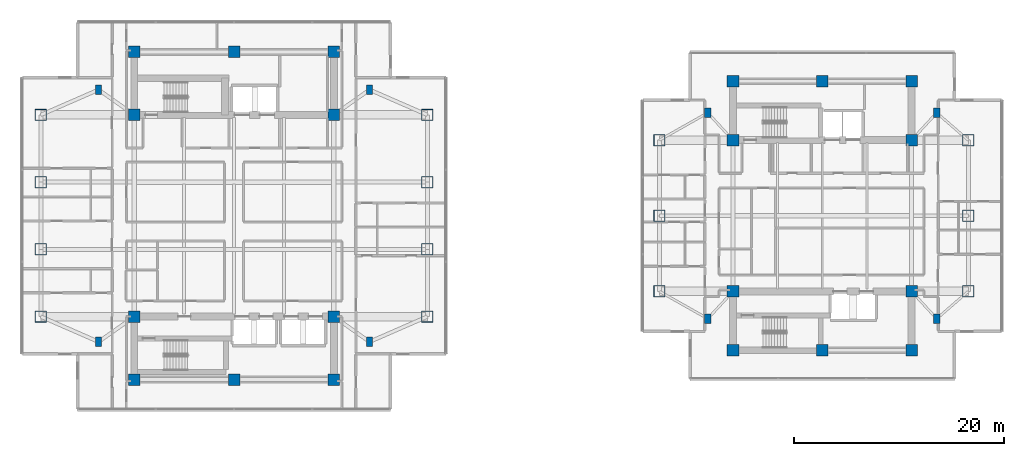
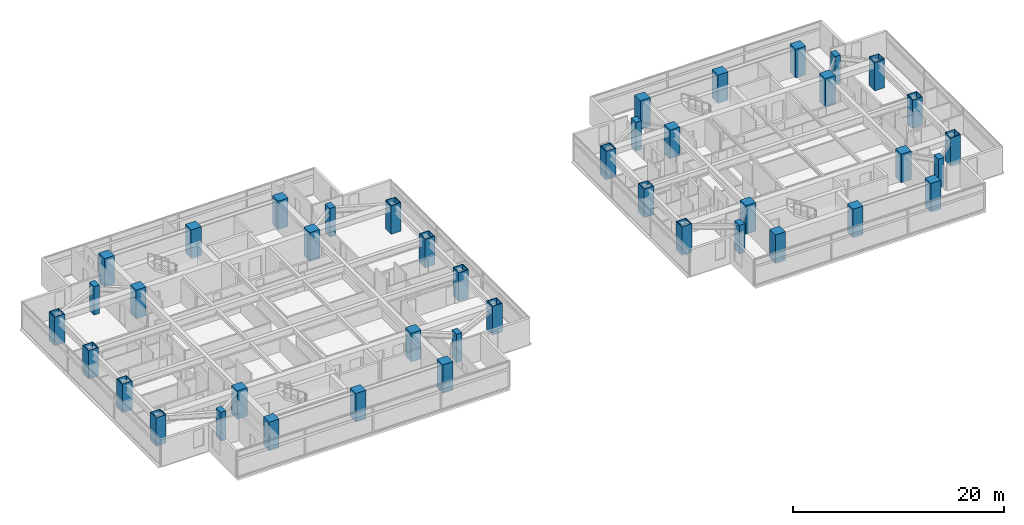
# One storey, part 1 of 26: 42 columns.
"""IFC4 building model written with IfcOpenShell, lengths in metres."""

from ifc_helpers import new_model, si_unit, direction, frame, origin, origin_2d, place, context, subcontext, project, spatial, rectangle, hollow_rectangle, extrude, material, material_profile, profile_set, type_object, element, save


model = new_model("IFC4")

# Units and contexts
model_context = context("Model", 3, precision=1e-05, world=origin(), true_north=direction((0.0, 1.0)))
body_context = subcontext(model_context, "Body", "Model", "MODEL_VIEW")
ifc_project = project(units=[si_unit("LENGTHUNIT", "METRE"), si_unit("AREAUNIT", "SQUARE_METRE"), si_unit("VOLUMEUNIT", "CUBIC_METRE"), si_unit("PLANEANGLEUNIT", "RADIAN"), si_unit("MASSUNIT", "GRAM", prefix="KILO")], contexts=[model_context])

# Site, building, storey
site_placement = place(None, origin())
site = spatial("IfcSite", under=ifc_project, at=site_placement, CompositionType="ELEMENT")
building_placement = place(site_placement, origin())
building = spatial("IfcBuilding", under=site, at=building_placement, Name="Mirazonda Arch Towers", CompositionType="ELEMENT")
storey_placement = place(building_placement, frame((0.0, 0.0, 121.39990234375)))
storey = spatial("IfcBuildingStorey", under=building, at=storey_placement, Name="L34", CompositionType="ELEMENT", Elevation=121.39990234375)

# Columns
ifc_material_1 = material(Name="Concrete C50/60", Category="concrete")
ifc_material_profile_1 = material_profile(ifc_material_1, rectangle(XDim=1.10009765625, YDim=1.10009765625, at=origin_2d()), Name="RC1100x1100")
ifc_profile_set_1 = profile_set([ifc_material_profile_1], Name="Concrete C50/60")
column_type_1 = type_object("IfcColumnType", Name="COL-INT-RC1100x1100", PredefinedType="COLUMN", material=ifc_profile_set_1)
for number, where, z_axis, x_axis, name in (
    (1, (11.0, 12.39990234375, 0.0), (0.0, 0.0, 1.0), (1.0, 0.0, 0.0), "L34 T1 Core Column 01"),
    (2, (20.5, 12.39990234375, 0.0), (0.0, 0.0, 1.0), (1.0, 0.0, 0.0), "L34 T1 Core Column 02"),
    (3, (30.0, 12.39990234375, 0.0), (0.0, 0.0, 1.0), (1.0, 0.0, 0.0), "L34 T1 Core Column 03"),
    (4, (11.0, 18.39990234375, 0.0), (0.0, 0.0, 1.0), (1.0, 0.0, 0.0), "L34 T1 Core Column 04"),
    (5, (30.0, 18.39990234375, 0.0), (0.0, 0.0, 1.0), (1.0, 0.0, 0.0), "L34 T1 Core Column 05"),
    (6, (11.0, 37.60009765625, 0.0), (0.0, 0.0, 1.0), (1.0, 0.0, 0.0), "L34 T1 Core Column 06"),
    (7, (30.0, 37.60009765625, 0.0), (0.0, 0.0, 1.0), (1.0, 0.0, 0.0), "L34 T1 Core Column 07"),
    (8, (11.0, 43.60009765625, 0.0), (0.0, 0.0, 1.0), (1.0, 0.0, 0.0), "L34 T1 Core Column 08"),
    (9, (20.5, 43.60009765625, 0.0), (0.0, 0.0, 1.0), (1.0, 0.0, 0.0), "L34 T1 Core Column 09"),
    (10, (30.0, 43.60009765625, 0.0), (0.0, 0.0, 1.0), (1.0, 0.0, 0.0), "L34 T1 Core Column 10"),
    (11, (68.0, 15.199951171875, 0.0), (0.0, 0.0, 1.0), (1.0, 0.0, 0.0), "L34 T2 Core Column 01"),
    (12, (76.5, 15.199951171875, 0.0), (0.0, 0.0, 1.0), (1.0, 0.0, 0.0), "L34 T2 Core Column 02"),
    (13, (85.0, 15.199951171875, 0.0), (0.0, 0.0, 1.0), (1.0, 0.0, 0.0), "L34 T2 Core Column 03"),
    (14, (68.0, 20.800048828125, 0.0), (0.0, 0.0, 1.0), (1.0, 0.0, 0.0), "L34 T2 Core Column 04"),
    (15, (85.0, 20.800048828125, 0.0), (0.0, 0.0, 1.0), (1.0, 0.0, 0.0), "L34 T2 Core Column 05"),
    (16, (68.0, 35.199951171875, 0.0), (0.0, 0.0, 1.0), (1.0, 0.0, 0.0), "L34 T2 Core Column 06"),
    (17, (85.0, 35.199951171875, 0.0), (0.0, 0.0, 1.0), (1.0, 0.0, 0.0), "L34 T2 Core Column 07"),
    (18, (68.0, 40.800048828125, 0.0), (0.0, 0.0, 1.0), (1.0, 0.0, 0.0), "L34 T2 Core Column 08"),
    (19, (76.5, 40.800048828125, 0.0), (0.0, 0.0, 1.0), (1.0, 0.0, 0.0), "L34 T2 Core Column 09"),
    (20, (85.0, 40.800048828125, 0.0), (0.0, 0.0, 1.0), (1.0, 0.0, 0.0), "L34 T2 Core Column 10"),
):
    element("IfcColumn", number, at=place(storey_placement, frame(where, z_axis=z_axis, x_axis=x_axis)), inside=storey, type_object=column_type_1, Name=name, PredefinedType="COLUMN", context=body_context, shape_type="SweptSolid", body=[
        extrude(rectangle(XDim=1.10009765625, YDim=1.10009765625, at=origin_2d()), origin(), (0.0, 0.0, 1.0), 3.300048828125),
    ])
ifc_material_2 = material(Name="Steel ASTM A572 Grade 50", Category="steel")
ifc_material_profile_2 = material_profile(ifc_material_2, hollow_rectangle(XDim=1.10009765625, YDim=1.10009765625, WallThickness=0.06005859375, at=origin_2d()), Name="BOX1100x1100x60")
ifc_profile_set_2 = profile_set([ifc_material_profile_2], Name="Steel ASTM A572 Grade 50")
column_type_2 = type_object("IfcColumnType", Name="MCOL-EXT-BOX1100x1100x60", PredefinedType="COLUMN", material=ifc_profile_set_2)
for number, where, z_axis, x_axis, name in (
    (21, (2.10009765625, 18.39990234375, 0.0), (0.0, 0.0, 1.0), (1.0, 0.0, 0.0), "L34 T1 Composite Mega-Column 01"),
    (22, (2.10009765625, 24.800048828125, 0.0), (0.0, 0.0, 1.0), (1.0, 0.0, 0.0), "L34 T1 Composite Mega-Column 02"),
    (23, (2.10009765625, 31.199951171875, 0.0), (0.0, 0.0, 1.0), (1.0, 0.0, 0.0), "L34 T1 Composite Mega-Column 03"),
    (24, (2.10009765625, 37.60009765625, 0.0), (0.0, 0.0, 1.0), (1.0, 0.0, 0.0), "L34 T1 Composite Mega-Column 04"),
    (25, (38.89990234375, 18.39990234375, 0.0), (0.0, 0.0, 1.0), (1.0, 0.0, 0.0), "L34 T1 Composite Mega-Column 05"),
    (26, (38.89990234375, 24.800048828125, 0.0), (0.0, 0.0, 1.0), (1.0, 0.0, 0.0), "L34 T1 Composite Mega-Column 06"),
    (27, (38.89990234375, 31.199951171875, 0.0), (0.0, 0.0, 1.0), (1.0, 0.0, 0.0), "L34 T1 Composite Mega-Column 07"),
    (28, (38.89990234375, 37.60009765625, 0.0), (0.0, 0.0, 1.0), (1.0, 0.0, 0.0), "L34 T1 Composite Mega-Column 08"),
    (29, (61.0, 20.800048828125, 0.0), (0.0, 0.0, 1.0), (1.0, 0.0, 0.0), "L34 T2 Composite Mega-Column 01"),
    (30, (61.0, 28.0, 0.0), (0.0, 0.0, 1.0), (1.0, 0.0, 0.0), "L34 T2 Composite Mega-Column 02"),
    (31, (61.0, 35.199951171875, 0.0), (0.0, 0.0, 1.0), (1.0, 0.0, 0.0), "L34 T2 Composite Mega-Column 03"),
    (32, (90.39990234375, 20.800048828125, 0.0), (0.0, 0.0, 1.0), (1.0, 0.0, 0.0), "L34 T2 Composite Mega-Column 04"),
    (33, (90.39990234375, 28.0, 0.0), (0.0, 0.0, 1.0), (1.0, 0.0, 0.0), "L34 T2 Composite Mega-Column 05"),
    (34, (90.39990234375, 35.199951171875, 0.0), (0.0, 0.0, 1.0), (1.0, 0.0, 0.0), "L34 T2 Composite Mega-Column 06"),
):
    element("IfcColumn", number, at=place(storey_placement, frame(where, z_axis=z_axis, x_axis=x_axis)), inside=storey, type_object=column_type_2, Name=name, PredefinedType="COLUMN", context=body_context, shape_type="SweptSolid", body=[
        extrude(hollow_rectangle(XDim=1.10009765625, YDim=1.10009765625, WallThickness=0.06005859375, at=origin_2d()), origin(), (0.0, 0.0, 1.0), 3.300048828125),
    ])
ifc_material_profile_3 = material_profile(ifc_material_1, rectangle(XDim=0.60009765625, YDim=0.89990234375, at=origin_2d()), Name="RC900x600")
ifc_profile_set_3 = profile_set([ifc_material_profile_3], Name="Concrete C50/60")
column_type_3 = type_object("IfcColumnType", Name="PIL-EXT-RC900x600", PredefinedType="PILASTER", material=ifc_profile_set_3)
for number, where, z_axis, x_axis, name in (
    (35, (7.60009765625, 16.0, 0.0), (0.0, 0.0, 1.0), (1.0, 0.0, 0.0), "L34 T1 Corner Pilaster 01"),
    (36, (33.39990234375, 16.0, 0.0), (0.0, 0.0, 1.0), (1.0, 0.0, 0.0), "L34 T1 Corner Pilaster 02"),
    (37, (7.60009765625, 40.0, 0.0), (0.0, 0.0, 1.0), (1.0, 0.0, 0.0), "L34 T1 Corner Pilaster 03"),
    (38, (33.39990234375, 40.0, 0.0), (0.0, 0.0, 1.0), (1.0, 0.0, 0.0), "L34 T1 Corner Pilaster 04"),
    (39, (65.60009765625, 18.199951171875, 0.0), (0.0, 0.0, 1.0), (1.0, 0.0, 0.0), "L34 T2 Corner Pilaster 01"),
    (40, (87.39990234375, 18.199951171875, 0.0), (0.0, 0.0, 1.0), (1.0, 0.0, 0.0), "L34 T2 Corner Pilaster 02"),
    (41, (65.60009765625, 37.800048828125, 0.0), (0.0, 0.0, 1.0), (1.0, 0.0, 0.0), "L34 T2 Corner Pilaster 03"),
    (42, (87.39990234375, 37.800048828125, 0.0), (0.0, 0.0, 1.0), (1.0, 0.0, 0.0), "L34 T2 Corner Pilaster 04"),
):
    element("IfcColumn", number, at=place(storey_placement, frame(where, z_axis=z_axis, x_axis=x_axis)), inside=storey, type_object=column_type_3, Name=name, PredefinedType="PILASTER", context=body_context, shape_type="SweptSolid", body=[
        extrude(rectangle(XDim=0.60009765625, YDim=0.89990234375, at=origin_2d()), origin(), (0.0, 0.0, 1.0), 3.300048828125),
    ])

save(model, "model.ifc")
